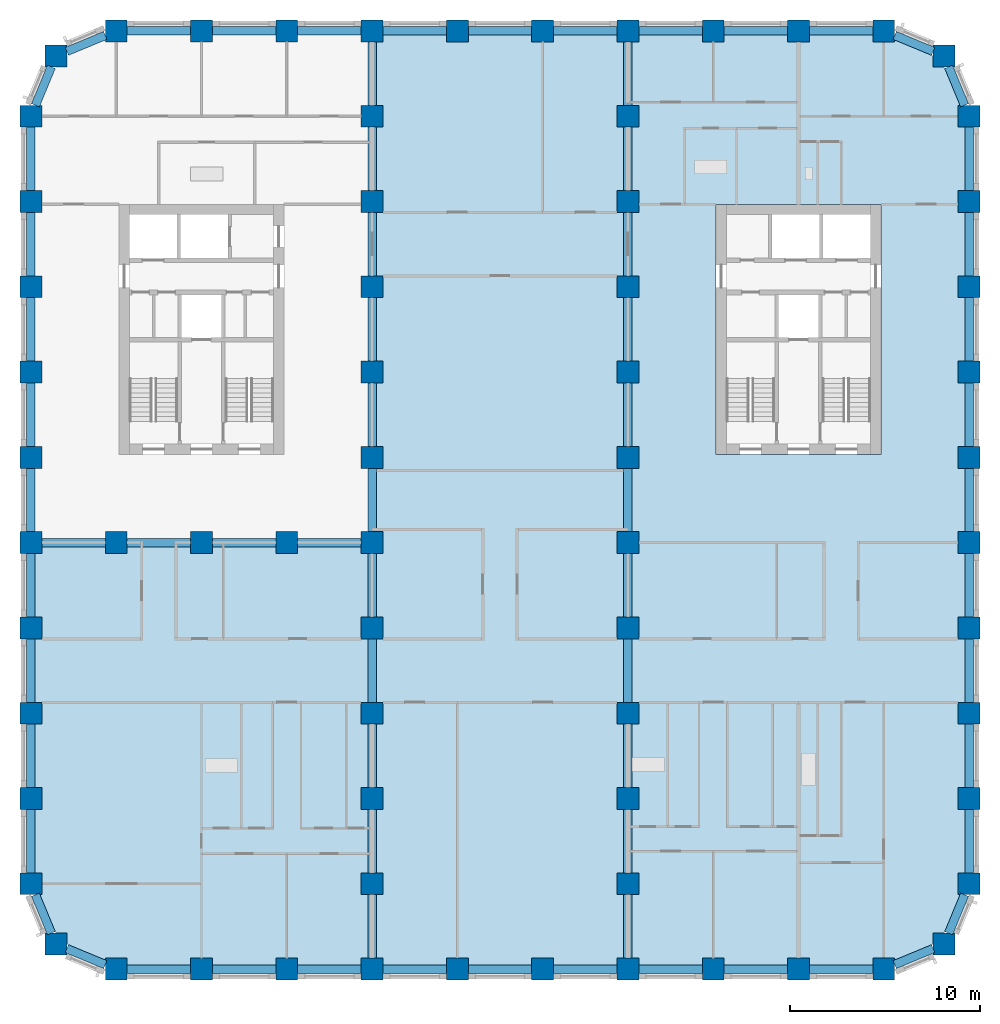
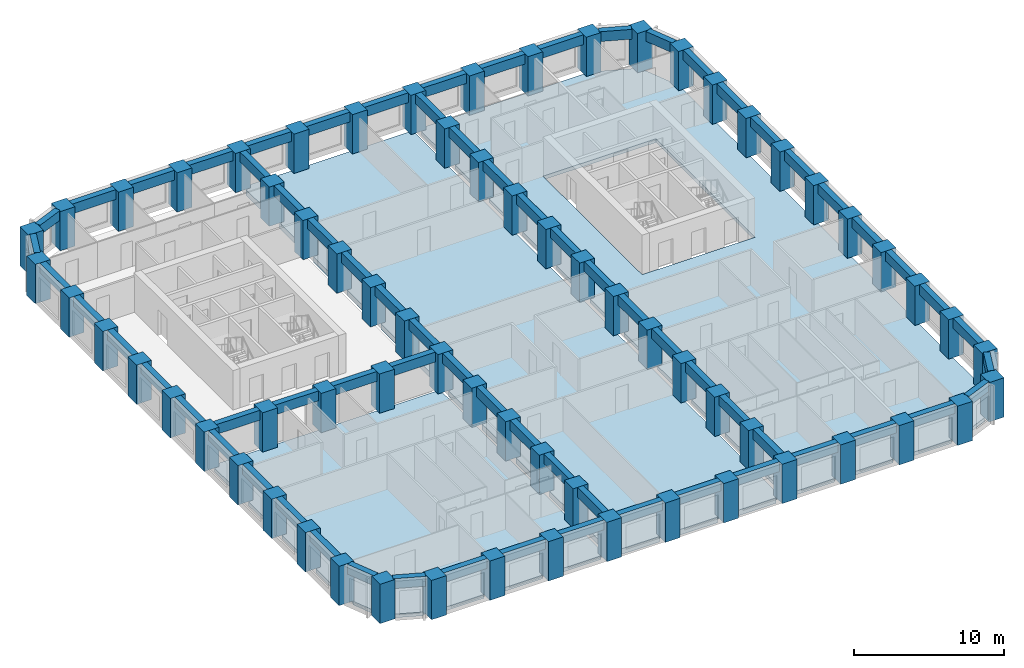
# One storey, part 1 of 12: 70 beams, 67 columns, 3 slabs.
"""IFC4 building model written with IfcOpenShell, lengths in metres."""

from ifc_helpers import new_model, si_unit, direction, frame, origin, origin_2d, place, context, subcontext, project, spatial, polyline, rectangle, outline, extrude, material, layer, layer_set, material_profile, profile_set, type_object, element, save


model = new_model("IFC4")

# Units and contexts
model_context = context("Model", 3, precision=1e-05, world=origin(), true_north=direction((0.0, 1.0)))
body_context = subcontext(model_context, "Body", "Model", "MODEL_VIEW")
ifc_project = project(units=[si_unit("LENGTHUNIT", "METRE"), si_unit("AREAUNIT", "SQUARE_METRE"), si_unit("VOLUMEUNIT", "CUBIC_METRE"), si_unit("PLANEANGLEUNIT", "RADIAN"), si_unit("MASSUNIT", "GRAM", prefix="KILO")], contexts=[model_context])

# Site, building, storey
site_placement = place(None, origin())
site = spatial("IfcSite", under=ifc_project, at=site_placement, CompositionType="ELEMENT")
building_placement = place(site_placement, origin())
building = spatial("IfcBuilding", under=site, at=building_placement, Name="Girih Gate Residences", CompositionType="ELEMENT")
storey_placement = place(building_placement, frame((0.0, 0.0, 108.800048828125)))
storey = spatial("IfcBuildingStorey", under=building, at=storey_placement, Name="L30", CompositionType="ELEMENT", Elevation=108.800048828125)

# Columns
ifc_material_1 = material(Name="Concrete C80/95", Category="concrete")
ifc_material_profile_1 = material_profile(ifc_material_1, rectangle(XDim=1.14990234375, YDim=1.14990234375, at=origin_2d()))
ifc_profile_set_1 = profile_set([ifc_material_profile_1], Name="Concrete C80/95")
column_type = type_object("IfcColumnType", Name="Pier RC 1150x1150 Concrete C80/95", PredefinedType="COLUMN", material=ifc_profile_set_1)
for number, where, z_axis, x_axis, name in (
    (1, (4.5, 0.0, 0.0), (0.0, 0.0, 1.0), (1.0, 0.0, 0.0), "Pier P2A L30"),
    (2, (9.0, 0.0, 0.0), (0.0, 0.0, 1.0), (1.0, 0.0, 0.0), "Pier P3A L30"),
    (3, (13.5, 0.0, 0.0), (0.0, 0.0, 1.0), (1.0, 0.0, 0.0), "Pier P4A L30"),
    (4, (18.0, 0.0, 0.0), (0.0, 0.0, 1.0), (1.0, 0.0, 0.0), "Pier P5A L30"),
    (5, (22.5, 0.0, 0.0), (0.0, 0.0, 1.0), (1.0, 0.0, 0.0), "Pier P6A L30"),
    (6, (27.0, 0.0, 0.0), (0.0, 0.0, 1.0), (1.0, 0.0, 0.0), "Pier P7A L30"),
    (7, (31.5, 0.0, 0.0), (0.0, 0.0, 1.0), (1.0, 0.0, 0.0), "Pier P8A L30"),
    (8, (36.0, 0.0, 0.0), (0.0, 0.0, 1.0), (1.0, 0.0, 0.0), "Pier P9A L30"),
    (9, (40.5, 0.0, 0.0), (0.0, 0.0, 1.0), (1.0, 0.0, 0.0), "Pier P10A L30"),
    (10, (45.0, 0.0, 0.0), (0.0, 0.0, 1.0), (1.0, 0.0, 0.0), "Pier P11A L30"),
    (11, (1.318115234375, 1.318115234375, 0.0), (0.0, 0.0, 1.0), (1.0, 0.0, 0.0), "Pier P1ANE L30"),
    (12, (48.181884765625, 1.318115234375, 0.0), (0.0, 0.0, 1.0), (1.0, 0.0, 0.0), "Pier P12ANW L30"),
    (13, (0.0, 4.5, 0.0), (0.0, 0.0, 1.0), (1.0, 0.0, 0.0), "Pier P1B L30"),
    (14, (18.0, 4.5, 0.0), (0.0, 0.0, 1.0), (1.0, 0.0, 0.0), "Pier P5B L30"),
    (15, (31.5, 4.5, 0.0), (0.0, 0.0, 1.0), (1.0, 0.0, 0.0), "Pier P8B L30"),
    (16, (49.5, 4.5, 0.0), (0.0, 0.0, 1.0), (1.0, 0.0, 0.0), "Pier P12B L30"),
    (17, (0.0, 9.0, 0.0), (0.0, 0.0, 1.0), (1.0, 0.0, 0.0), "Pier P1C L30"),
    (18, (18.0, 9.0, 0.0), (0.0, 0.0, 1.0), (1.0, 0.0, 0.0), "Pier P5C L30"),
    (19, (31.5, 9.0, 0.0), (0.0, 0.0, 1.0), (1.0, 0.0, 0.0), "Pier P8C L30"),
    (20, (49.5, 9.0, 0.0), (0.0, 0.0, 1.0), (1.0, 0.0, 0.0), "Pier P12C L30"),
    (21, (0.0, 13.5, 0.0), (0.0, 0.0, 1.0), (1.0, 0.0, 0.0), "Pier P1D L30"),
    (22, (18.0, 13.5, 0.0), (0.0, 0.0, 1.0), (1.0, 0.0, 0.0), "Pier P5D L30"),
    (23, (31.5, 13.5, 0.0), (0.0, 0.0, 1.0), (1.0, 0.0, 0.0), "Pier P8D L30"),
    (24, (49.5, 13.5, 0.0), (0.0, 0.0, 1.0), (1.0, 0.0, 0.0), "Pier P12D L30"),
    (25, (0.0, 18.0, 0.0), (0.0, 0.0, 1.0), (1.0, 0.0, 0.0), "Pier P1E L30"),
    (26, (18.0, 18.0, 0.0), (0.0, 0.0, 1.0), (1.0, 0.0, 0.0), "Pier P5E L30"),
    (27, (31.5, 18.0, 0.0), (0.0, 0.0, 1.0), (1.0, 0.0, 0.0), "Pier P8E L30"),
    (28, (49.5, 18.0, 0.0), (0.0, 0.0, 1.0), (1.0, 0.0, 0.0), "Pier P12E L30"),
    (29, (0.0, 22.5, 0.0), (0.0, 0.0, 1.0), (1.0, 0.0, 0.0), "Pier P1F L30"),
    (30, (4.5, 22.5, 0.0), (0.0, 0.0, 1.0), (1.0, 0.0, 0.0), "Pier P2F L30"),
    (31, (9.0, 22.5, 0.0), (0.0, 0.0, 1.0), (1.0, 0.0, 0.0), "Pier P3F L30"),
    (32, (13.5, 22.5, 0.0), (0.0, 0.0, 1.0), (1.0, 0.0, 0.0), "Pier P4F L30"),
    (33, (18.0, 22.5, 0.0), (0.0, 0.0, 1.0), (1.0, 0.0, 0.0), "Pier P5F L30"),
    (34, (31.5, 22.5, 0.0), (0.0, 0.0, 1.0), (1.0, 0.0, 0.0), "Pier P8F L30"),
    (35, (49.5, 22.5, 0.0), (0.0, 0.0, 1.0), (1.0, 0.0, 0.0), "Pier P12F L30"),
    (36, (0.0, 27.0, 0.0), (0.0, 0.0, 1.0), (1.0, 0.0, 0.0), "Pier P1G L30"),
    (37, (18.0, 27.0, 0.0), (0.0, 0.0, 1.0), (1.0, 0.0, 0.0), "Pier P5G L30"),
    (38, (31.5, 27.0, 0.0), (0.0, 0.0, 1.0), (1.0, 0.0, 0.0), "Pier P8G L30"),
    (39, (49.5, 27.0, 0.0), (0.0, 0.0, 1.0), (1.0, 0.0, 0.0), "Pier P12G L30"),
    (40, (0.0, 31.5, 0.0), (0.0, 0.0, 1.0), (1.0, 0.0, 0.0), "Pier P1H L30"),
    (41, (18.0, 31.5, 0.0), (0.0, 0.0, 1.0), (1.0, 0.0, 0.0), "Pier P5H L30"),
    (42, (31.5, 31.5, 0.0), (0.0, 0.0, 1.0), (1.0, 0.0, 0.0), "Pier P8H L30"),
    (43, (49.5, 31.5, 0.0), (0.0, 0.0, 1.0), (1.0, 0.0, 0.0), "Pier P12H L30"),
    (44, (0.0, 36.0, 0.0), (0.0, 0.0, 1.0), (1.0, 0.0, 0.0), "Pier P1I L30"),
    (45, (18.0, 36.0, 0.0), (0.0, 0.0, 1.0), (1.0, 0.0, 0.0), "Pier P5I L30"),
    (46, (31.5, 36.0, 0.0), (0.0, 0.0, 1.0), (1.0, 0.0, 0.0), "Pier P8I L30"),
    (47, (49.5, 36.0, 0.0), (0.0, 0.0, 1.0), (1.0, 0.0, 0.0), "Pier P12I L30"),
    (48, (0.0, 40.5, 0.0), (0.0, 0.0, 1.0), (1.0, 0.0, 0.0), "Pier P1J L30"),
    (49, (18.0, 40.5, 0.0), (0.0, 0.0, 1.0), (1.0, 0.0, 0.0), "Pier P5J L30"),
    (50, (31.5, 40.5, 0.0), (0.0, 0.0, 1.0), (1.0, 0.0, 0.0), "Pier P8J L30"),
    (51, (49.5, 40.5, 0.0), (0.0, 0.0, 1.0), (1.0, 0.0, 0.0), "Pier P12J L30"),
    (52, (0.0, 45.0, 0.0), (0.0, 0.0, 1.0), (1.0, 0.0, 0.0), "Pier P1K L30"),
    (53, (18.0, 45.0, 0.0), (0.0, 0.0, 1.0), (1.0, 0.0, 0.0), "Pier P5K L30"),
    (54, (31.5, 45.0, 0.0), (0.0, 0.0, 1.0), (1.0, 0.0, 0.0), "Pier P8K L30"),
    (55, (49.5, 45.0, 0.0), (0.0, 0.0, 1.0), (1.0, 0.0, 0.0), "Pier P12K L30"),
    (56, (1.318115234375, 48.181884765625, 0.0), (0.0, 0.0, 1.0), (1.0, 0.0, 0.0), "Pier P1LSE L30"),
    (57, (48.181884765625, 48.181884765625, 0.0), (0.0, 0.0, 1.0), (1.0, 0.0, 0.0), "Pier P12LSW L30"),
    (58, (4.5, 49.5, 0.0), (0.0, 0.0, 1.0), (1.0, 0.0, 0.0), "Pier P2L L30"),
    (59, (9.0, 49.5, 0.0), (0.0, 0.0, 1.0), (1.0, 0.0, 0.0), "Pier P3L L30"),
    (60, (13.5, 49.5, 0.0), (0.0, 0.0, 1.0), (1.0, 0.0, 0.0), "Pier P4L L30"),
    (61, (18.0, 49.5, 0.0), (0.0, 0.0, 1.0), (1.0, 0.0, 0.0), "Pier P5L L30"),
    (62, (22.5, 49.5, 0.0), (0.0, 0.0, 1.0), (1.0, 0.0, 0.0), "Pier P6L L30"),
    (63, (27.0, 49.5, 0.0), (0.0, 0.0, 1.0), (1.0, 0.0, 0.0), "Pier P7L L30"),
    (64, (31.5, 49.5, 0.0), (0.0, 0.0, 1.0), (1.0, 0.0, 0.0), "Pier P8L L30"),
    (65, (36.0, 49.5, 0.0), (0.0, 0.0, 1.0), (1.0, 0.0, 0.0), "Pier P9L L30"),
    (66, (40.5, 49.5, 0.0), (0.0, 0.0, 1.0), (1.0, 0.0, 0.0), "Pier P10L L30"),
    (67, (45.0, 49.5, 0.0), (0.0, 0.0, 1.0), (1.0, 0.0, 0.0), "Pier P11L L30"),
):
    element("IfcColumn", number, at=place(storey_placement, frame(where, z_axis=z_axis, x_axis=x_axis)), inside=storey, type_object=column_type, Name=name, PredefinedType="COLUMN", context=body_context, shape_type="SweptSolid", body=[
        extrude(rectangle(XDim=1.14990234375, YDim=1.14990234375, at=origin_2d()), origin(), (0.0, 0.0, 1.0), 3.199951171875),
    ])

# Beams
ifc_material_2 = material(Name="Concrete C60/75", Category="concrete")
ifc_material_profile_2 = material_profile(ifc_material_2, rectangle(XDim=0.449951171875, YDim=0.800048828125, at=origin_2d()))
ifc_profile_set_2 = profile_set([ifc_material_profile_2], Name="Concrete C60/75")
beam_type = type_object("IfcBeamType", Name="Spandrel girder RC 450x800 Concrete C60/75", PredefinedType="BEAM", material=ifc_profile_set_2)
for number, where, z_axis, x_axis, name in (
    (68, (0.23828125, 3.925048828125, 2.800048828125), (0.382636106589, -0.92389913407, 0.0), (0.92389913407, 0.382636106589, 0.0), "Spandrel girder SP-P1B-P1ANE L30"),
    (69, (1.89306640625, 1.079833984375, 2.800048828125), (0.92389913407, -0.382636106589, 0.0), (0.382636106589, 0.92389913407, 0.0), "Spandrel girder SP-P1ANE-P2A L30"),
):
    element("IfcBeam", number, at=place(storey_placement, frame(where, z_axis=z_axis, x_axis=x_axis)), inside=storey, type_object=beam_type, Name=name, PredefinedType="BEAM", context=body_context, shape_type="SweptSolid", body=[
        extrude(rectangle(XDim=0.449951171875, YDim=0.800048828125, at=origin_2d()), origin(), (0.0, 0.0, 1.0), 2.199462890625),
    ])
for number, where, z_axis, x_axis, name in (
    (70, (5.074951171875, 0.0, 2.800048828125), (1.0, 0.0, 0.0), (0.0, 1.0, 0.0), "Spandrel girder SP-P2A-P3A L30"),
    (71, (9.574951171875, 0.0, 2.800048828125), (1.0, 0.0, 0.0), (0.0, 1.0, 0.0), "Spandrel girder SP-P3A-P4A L30"),
    (72, (14.074951171875, 0.0, 2.800048828125), (1.0, 0.0, 0.0), (0.0, 1.0, 0.0), "Spandrel girder SP-P4A-P5A L30"),
    (73, (18.574951171875, 0.0, 2.800048828125), (1.0, 0.0, 0.0), (0.0, 1.0, 0.0), "Spandrel girder SP-P5A-P6A L30"),
    (74, (23.074951171875, 0.0, 2.800048828125), (1.0, 0.0, 0.0), (0.0, 1.0, 0.0), "Spandrel girder SP-P6A-P7A L30"),
    (75, (27.574951171875, 0.0, 2.800048828125), (1.0, 0.0, 0.0), (0.0, 1.0, 0.0), "Spandrel girder SP-P7A-P8A L30"),
    (76, (32.074951171875, 0.0, 2.800048828125), (1.0, 0.0, 0.0), (0.0, 1.0, 0.0), "Spandrel girder SP-P8A-P9A L30"),
    (77, (36.574951171875, 0.0, 2.800048828125), (1.0, 0.0, 0.0), (0.0, 1.0, 0.0), "Spandrel girder SP-P9A-P10A L30"),
    (78, (41.074951171875, 0.0, 2.800048828125), (1.0, 0.0, 0.0), (0.0, 1.0, 0.0), "Spandrel girder SP-P10A-P11A L30"),
):
    element("IfcBeam", number, at=place(storey_placement, frame(where, z_axis=z_axis, x_axis=x_axis)), inside=storey, type_object=beam_type, Name=name, PredefinedType="BEAM", context=body_context, shape_type="SweptSolid", body=[
        extrude(rectangle(XDim=0.449951171875, YDim=0.800048828125, at=origin_2d()), origin(), (0.0, 0.0, 1.0), 3.35009765625),
    ])
for number, where, z_axis, x_axis, name in (
    (79, (45.574951171875, 0.23828125, 2.800048828125), (0.92389913407, 0.382636106589, 0.0), (-0.382636106589, 0.92389913407, 0.0), "Spandrel girder SP-P11A-P12ANW L30"),
    (80, (48.420166015625, 1.89306640625, 2.800048828125), (0.382636106589, 0.92389913407, 0.0), (-0.92389913407, 0.382636106589, 0.0), "Spandrel girder SP-P12ANW-P12B L30"),
):
    element("IfcBeam", number, at=place(storey_placement, frame(where, z_axis=z_axis, x_axis=x_axis)), inside=storey, type_object=beam_type, Name=name, PredefinedType="BEAM", context=body_context, shape_type="SweptSolid", body=[
        extrude(rectangle(XDim=0.449951171875, YDim=0.800048828125, at=origin_2d()), origin(), (0.0, 0.0, 1.0), 2.199462890625),
    ])
for number, where, z_axis, x_axis, name in (
    (81, (49.5, 5.074951171875, 2.800048828125), (0.0, 1.0, 0.0), (-1.0, 0.0, 0.0), "Spandrel girder SP-P12B-P12C L30"),
    (82, (49.5, 9.574951171875, 2.800048828125), (0.0, 1.0, 0.0), (-1.0, 0.0, 0.0), "Spandrel girder SP-P12C-P12D L30"),
    (83, (49.5, 14.074951171875, 2.800048828125), (0.0, 1.0, 0.0), (-1.0, 0.0, 0.0), "Spandrel girder SP-P12D-P12E L30"),
    (84, (49.5, 18.574951171875, 2.800048828125), (0.0, 1.0, 0.0), (-1.0, 0.0, 0.0), "Spandrel girder SP-P12E-P12F L30"),
    (85, (49.5, 23.074951171875, 2.800048828125), (0.0, 1.0, 0.0), (-1.0, 0.0, 0.0), "Spandrel girder SP-P12F-P12G L30"),
    (86, (49.5, 27.574951171875, 2.800048828125), (0.0, 1.0, 0.0), (-1.0, 0.0, 0.0), "Spandrel girder SP-P12G-P12H L30"),
    (87, (49.5, 32.074951171875, 2.800048828125), (0.0, 1.0, 0.0), (-1.0, 0.0, 0.0), "Spandrel girder SP-P12H-P12I L30"),
    (88, (49.5, 36.574951171875, 2.800048828125), (0.0, 1.0, 0.0), (-1.0, 0.0, 0.0), "Spandrel girder SP-P12I-P12J L30"),
    (89, (49.5, 41.074951171875, 2.800048828125), (0.0, 1.0, 0.0), (-1.0, 0.0, 0.0), "Spandrel girder SP-P12J-P12K L30"),
):
    element("IfcBeam", number, at=place(storey_placement, frame(where, z_axis=z_axis, x_axis=x_axis)), inside=storey, type_object=beam_type, Name=name, PredefinedType="BEAM", context=body_context, shape_type="SweptSolid", body=[
        extrude(rectangle(XDim=0.449951171875, YDim=0.800048828125, at=origin_2d()), origin(), (0.0, 0.0, 1.0), 3.35009765625),
    ])
for number, where, z_axis, x_axis, name in (
    (90, (49.26171875, 45.574951171875, 2.800048828125), (-0.382636106589, 0.92389913407, 0.0), (-0.92389913407, -0.382636106589, 0.0), "Spandrel girder SP-P12K-P12LSW L30"),
    (91, (47.60693359375, 48.420166015625, 2.800048828125), (-0.92389913407, 0.382636106589, 0.0), (-0.382636106589, -0.92389913407, 0.0), "Spandrel girder SP-P12LSW-P11L L30"),
):
    element("IfcBeam", number, at=place(storey_placement, frame(where, z_axis=z_axis, x_axis=x_axis)), inside=storey, type_object=beam_type, Name=name, PredefinedType="BEAM", context=body_context, shape_type="SweptSolid", body=[
        extrude(rectangle(XDim=0.449951171875, YDim=0.800048828125, at=origin_2d()), origin(), (0.0, 0.0, 1.0), 2.199462890625),
    ])
for number, where, z_axis, x_axis, name in (
    (92, (44.425048828125, 49.5, 2.800048828125), (-1.0, 0.0, 0.0), (0.0, -1.0, 0.0), "Spandrel girder SP-P11L-P10L L30"),
    (93, (39.925048828125, 49.5, 2.800048828125), (-1.0, 0.0, 0.0), (0.0, -1.0, 0.0), "Spandrel girder SP-P10L-P9L L30"),
    (94, (35.425048828125, 49.5, 2.800048828125), (-1.0, 0.0, 0.0), (0.0, -1.0, 0.0), "Spandrel girder SP-P9L-P8L L30"),
    (95, (30.925048828125, 49.5, 2.800048828125), (-1.0, 0.0, 0.0), (0.0, -1.0, 0.0), "Spandrel girder SP-P8L-P7L L30"),
    (96, (26.425048828125, 49.5, 2.800048828125), (-1.0, 0.0, 0.0), (0.0, -1.0, 0.0), "Spandrel girder SP-P7L-P6L L30"),
    (97, (21.925048828125, 49.5, 2.800048828125), (-1.0, 0.0, 0.0), (0.0, -1.0, 0.0), "Spandrel girder SP-P6L-P5L L30"),
    (98, (17.425048828125, 49.5, 2.800048828125), (-1.0, 0.0, 0.0), (0.0, -1.0, 0.0), "Spandrel girder SP-P5L-P4L L30"),
    (99, (12.925048828125, 49.5, 2.800048828125), (-1.0, 0.0, 0.0), (0.0, -1.0, 0.0), "Spandrel girder SP-P4L-P3L L30"),
    (100, (8.425048828125, 49.5, 2.800048828125), (-1.0, 0.0, 0.0), (0.0, -1.0, 0.0), "Spandrel girder SP-P3L-P2L L30"),
):
    element("IfcBeam", number, at=place(storey_placement, frame(where, z_axis=z_axis, x_axis=x_axis)), inside=storey, type_object=beam_type, Name=name, PredefinedType="BEAM", context=body_context, shape_type="SweptSolid", body=[
        extrude(rectangle(XDim=0.449951171875, YDim=0.800048828125, at=origin_2d()), origin(), (0.0, 0.0, 1.0), 3.35009765625),
    ])
for number, where, z_axis, x_axis, name in (
    (101, (3.925048828125, 49.26171875, 2.800048828125), (-0.92389913407, -0.382636106589, 0.0), (0.382636106589, -0.92389913407, 0.0), "Spandrel girder SP-P2L-P1LSE L30"),
    (102, (1.079833984375, 47.60693359375, 2.800048828125), (-0.382636106589, -0.92389913407, 0.0), (0.92389913407, -0.382636106589, 0.0), "Spandrel girder SP-P1LSE-P1K L30"),
):
    element("IfcBeam", number, at=place(storey_placement, frame(where, z_axis=z_axis, x_axis=x_axis)), inside=storey, type_object=beam_type, Name=name, PredefinedType="BEAM", context=body_context, shape_type="SweptSolid", body=[
        extrude(rectangle(XDim=0.449951171875, YDim=0.800048828125, at=origin_2d()), origin(), (0.0, 0.0, 1.0), 2.199462890625),
    ])
for number, where, z_axis, x_axis, name in (
    (103, (0.0, 44.425048828125, 2.800048828125), (0.0, -1.0, 0.0), (1.0, 0.0, 0.0), "Spandrel girder SP-P1K-P1J L30"),
    (104, (0.0, 39.925048828125, 2.800048828125), (0.0, -1.0, 0.0), (1.0, 0.0, 0.0), "Spandrel girder SP-P1J-P1I L30"),
    (105, (0.0, 35.425048828125, 2.800048828125), (0.0, -1.0, 0.0), (1.0, 0.0, 0.0), "Spandrel girder SP-P1I-P1H L30"),
    (106, (0.0, 30.925048828125, 2.800048828125), (0.0, -1.0, 0.0), (1.0, 0.0, 0.0), "Spandrel girder SP-P1H-P1G L30"),
    (107, (0.0, 26.425048828125, 2.800048828125), (0.0, -1.0, 0.0), (1.0, 0.0, 0.0), "Spandrel girder SP-P1G-P1F L30"),
    (108, (0.0, 21.925048828125, 2.800048828125), (0.0, -1.0, 0.0), (1.0, 0.0, 0.0), "Spandrel girder SP-P1F-P1E L30"),
    (109, (0.0, 17.425048828125, 2.800048828125), (0.0, -1.0, 0.0), (1.0, 0.0, 0.0), "Spandrel girder SP-P1E-P1D L30"),
    (110, (0.0, 12.925048828125, 2.800048828125), (0.0, -1.0, 0.0), (1.0, 0.0, 0.0), "Spandrel girder SP-P1D-P1C L30"),
    (111, (0.0, 8.425048828125, 2.800048828125), (0.0, -1.0, 0.0), (1.0, 0.0, 0.0), "Spandrel girder SP-P1C-P1B L30"),
    (112, (18.0, 0.574951171875, 2.800048828125), (0.0, 1.0, 0.0), (-1.0, 0.0, 0.0), "Spandrel girder SP-P5A-P5B L30"),
    (113, (18.0, 5.074951171875, 2.800048828125), (0.0, 1.0, 0.0), (-1.0, 0.0, 0.0), "Spandrel girder SP-P5B-P5C L30"),
    (114, (18.0, 9.574951171875, 2.800048828125), (0.0, 1.0, 0.0), (-1.0, 0.0, 0.0), "Spandrel girder SP-P5C-P5D L30"),
    (115, (18.0, 14.074951171875, 2.800048828125), (0.0, 1.0, 0.0), (-1.0, 0.0, 0.0), "Spandrel girder SP-P5D-P5E L30"),
    (116, (18.0, 18.574951171875, 2.800048828125), (0.0, 1.0, 0.0), (-1.0, 0.0, 0.0), "Spandrel girder SP-P5E-P5F L30"),
    (117, (18.0, 23.074951171875, 2.800048828125), (0.0, 1.0, 0.0), (-1.0, 0.0, 0.0), "Spandrel girder SP-P5F-P5G L30"),
    (118, (18.0, 27.574951171875, 2.800048828125), (0.0, 1.0, 0.0), (-1.0, 0.0, 0.0), "Spandrel girder SP-P5G-P5H L30"),
    (119, (18.0, 32.074951171875, 2.800048828125), (0.0, 1.0, 0.0), (-1.0, 0.0, 0.0), "Spandrel girder SP-P5H-P5I L30"),
    (120, (18.0, 36.574951171875, 2.800048828125), (0.0, 1.0, 0.0), (-1.0, 0.0, 0.0), "Spandrel girder SP-P5I-P5J L30"),
    (121, (18.0, 41.074951171875, 2.800048828125), (0.0, 1.0, 0.0), (-1.0, 0.0, 0.0), "Spandrel girder SP-P5J-P5K L30"),
    (122, (18.0, 45.574951171875, 2.800048828125), (0.0, 1.0, 0.0), (-1.0, 0.0, 0.0), "Spandrel girder SP-P5K-P5L L30"),
    (123, (31.5, 0.574951171875, 2.800048828125), (0.0, 1.0, 0.0), (-1.0, 0.0, 0.0), "Spandrel girder SP-P8A-P8B L30"),
    (124, (31.5, 5.074951171875, 2.800048828125), (0.0, 1.0, 0.0), (-1.0, 0.0, 0.0), "Spandrel girder SP-P8B-P8C L30"),
    (125, (31.5, 9.574951171875, 2.800048828125), (0.0, 1.0, 0.0), (-1.0, 0.0, 0.0), "Spandrel girder SP-P8C-P8D L30"),
    (126, (31.5, 14.074951171875, 2.800048828125), (0.0, 1.0, 0.0), (-1.0, 0.0, 0.0), "Spandrel girder SP-P8D-P8E L30"),
    (127, (31.5, 18.574951171875, 2.800048828125), (0.0, 1.0, 0.0), (-1.0, 0.0, 0.0), "Spandrel girder SP-P8E-P8F L30"),
    (128, (31.5, 23.074951171875, 2.800048828125), (0.0, 1.0, 0.0), (-1.0, 0.0, 0.0), "Spandrel girder SP-P8F-P8G L30"),
    (129, (31.5, 27.574951171875, 2.800048828125), (0.0, 1.0, 0.0), (-1.0, 0.0, 0.0), "Spandrel girder SP-P8G-P8H L30"),
    (130, (31.5, 32.074951171875, 2.800048828125), (0.0, 1.0, 0.0), (-1.0, 0.0, 0.0), "Spandrel girder SP-P8H-P8I L30"),
    (131, (31.5, 36.574951171875, 2.800048828125), (0.0, 1.0, 0.0), (-1.0, 0.0, 0.0), "Spandrel girder SP-P8I-P8J L30"),
    (132, (31.5, 41.074951171875, 2.800048828125), (0.0, 1.0, 0.0), (-1.0, 0.0, 0.0), "Spandrel girder SP-P8J-P8K L30"),
    (133, (31.5, 45.574951171875, 2.800048828125), (0.0, 1.0, 0.0), (-1.0, 0.0, 0.0), "Spandrel girder SP-P8K-P8L L30"),
    (134, (0.574951171875, 22.5, 2.800048828125), (1.0, 0.0, 0.0), (0.0, 1.0, 0.0), "Spandrel girder SP-P1F-P2F L30"),
    (135, (5.074951171875, 22.5, 2.800048828125), (1.0, 0.0, 0.0), (0.0, 1.0, 0.0), "Spandrel girder SP-P2F-P3F L30"),
    (136, (9.574951171875, 22.5, 2.800048828125), (1.0, 0.0, 0.0), (0.0, 1.0, 0.0), "Spandrel girder SP-P3F-P4F L30"),
    (137, (14.074951171875, 22.5, 2.800048828125), (1.0, 0.0, 0.0), (0.0, 1.0, 0.0), "Spandrel girder SP-P4F-P5F L30"),
):
    element("IfcBeam", number, at=place(storey_placement, frame(where, z_axis=z_axis, x_axis=x_axis)), inside=storey, type_object=beam_type, Name=name, PredefinedType="BEAM", context=body_context, shape_type="SweptSolid", body=[
        extrude(rectangle(XDim=0.449951171875, YDim=0.800048828125, at=origin_2d()), origin(), (0.0, 0.0, 1.0), 3.35009765625),
    ])

# Slabs
ifc_material_3 = material(Name="Concrete C40/50", Category="concrete")
ifc_layer_1 = layer(ifc_material_3, 0.300048828125)
ifc_layer_set_1 = layer_set([ifc_layer_1], Name="Floor slab PT 300 Concrete C40/50")
slab_type_1 = type_object("IfcSlabType", Name="Floor slab PT 300 Concrete C40/50", PredefinedType="FLOOR", material=ifc_layer_set_1)
slab_1_placement = place(storey_placement, frame((0.0, 0.0, -0.300048828125)))
element("IfcSlab", 138, at=slab_1_placement, inside=storey, type_object=slab_type_1, Name="Floor slab L30 0", PredefinedType="FLOOR", context=body_context, shape_type="SweptSolid", body=[
    extrude(outline(polyline([(0.22509765625, 8.425048828125), (0.22509765625, 5.074951171875), (0.574951171875, 5.074951171875), (0.574951171875, 3.925048828125), (0.481689453125, 3.925048828125), (1.323486328125, 1.89306640625), (1.89306640625, 1.89306640625), (1.89306640625, 1.323486328125), (3.925048828125, 0.481689453125), (3.925048828125, 0.574951171875), (5.074951171875, 0.574951171875), (5.074951171875, 0.22509765625), (8.425048828125, 0.22509765625), (8.425048828125, 0.574951171875), (9.574951171875, 0.574951171875), (9.574951171875, 0.22509765625), (12.925048828125, 0.22509765625), (12.925048828125, 0.574951171875), (14.074951171875, 0.574951171875), (14.074951171875, 0.22509765625), (17.425048828125, 0.22509765625), (17.425048828125, 0.574951171875), (17.77490234375, 0.574951171875), (17.77490234375, 3.925048828125), (17.425048828125, 3.925048828125), (17.425048828125, 5.074951171875), (17.77490234375, 5.074951171875), (17.77490234375, 8.425048828125), (17.425048828125, 8.425048828125), (17.425048828125, 9.574951171875), (17.77490234375, 9.574951171875), (17.77490234375, 12.925048828125), (17.425048828125, 12.925048828125), (17.425048828125, 14.074951171875), (17.77490234375, 14.074951171875), (17.77490234375, 17.425048828125), (17.425048828125, 17.425048828125), (17.425048828125, 18.574951171875), (17.77490234375, 18.574951171875), (17.77490234375, 21.925048828125), (17.425048828125, 21.925048828125), (17.425048828125, 22.27490234375), (14.074951171875, 22.27490234375), (14.074951171875, 21.925048828125), (12.925048828125, 21.925048828125), (12.925048828125, 22.27490234375), (9.574951171875, 22.27490234375), (9.574951171875, 21.925048828125), (8.425048828125, 21.925048828125), (8.425048828125, 22.27490234375), (5.074951171875, 22.27490234375), (5.074951171875, 21.925048828125), (3.925048828125, 21.925048828125), (3.925048828125, 22.27490234375), (0.574951171875, 22.27490234375), (0.574951171875, 21.925048828125), (0.22509765625, 21.925048828125), (0.22509765625, 18.574951171875), (0.574951171875, 18.574951171875), (0.574951171875, 17.425048828125), (0.22509765625, 17.425048828125), (0.22509765625, 14.074951171875), (0.574951171875, 14.074951171875), (0.574951171875, 12.925048828125), (0.22509765625, 12.925048828125), (0.22509765625, 9.574951171875), (0.574951171875, 9.574951171875), (0.574951171875, 8.425048828125), (0.22509765625, 8.425048828125)])), origin(), (0.0, 0.0, 1.0), 0.300048828125),
])
slab_2_placement = place(storey_placement, frame((0.0, 0.0, -0.300048828125)))
element("IfcSlab", 139, at=slab_2_placement, inside=storey, type_object=slab_type_1, Name="Floor slab L30 1", PredefinedType="FLOOR", context=body_context, shape_type="SweptSolid", body=[
    extrude(outline(polyline([(35.425048828125, 49.27490234375), (32.074951171875, 49.27490234375), (32.074951171875, 48.925048828125), (31.72509765625, 48.925048828125), (31.72509765625, 45.574951171875), (32.074951171875, 45.574951171875), (32.074951171875, 44.425048828125), (31.72509765625, 44.425048828125), (31.72509765625, 41.074951171875), (32.074951171875, 41.074951171875), (32.074951171875, 39.925048828125), (31.72509765625, 39.925048828125), (31.72509765625, 36.574951171875), (32.074951171875, 36.574951171875), (32.074951171875, 35.425048828125), (31.72509765625, 35.425048828125), (31.72509765625, 32.074951171875), (32.074951171875, 32.074951171875), (32.074951171875, 30.925048828125), (31.72509765625, 30.925048828125), (31.72509765625, 27.574951171875), (32.074951171875, 27.574951171875), (32.074951171875, 26.425048828125), (31.72509765625, 26.425048828125), (31.72509765625, 23.074951171875), (32.074951171875, 23.074951171875), (32.074951171875, 21.925048828125), (31.72509765625, 21.925048828125), (31.72509765625, 18.574951171875), (32.074951171875, 18.574951171875), (32.074951171875, 17.425048828125), (31.72509765625, 17.425048828125), (31.72509765625, 14.074951171875), (32.074951171875, 14.074951171875), (32.074951171875, 12.925048828125), (31.72509765625, 12.925048828125), (31.72509765625, 9.574951171875), (32.074951171875, 9.574951171875), (32.074951171875, 8.425048828125), (31.72509765625, 8.425048828125), (31.72509765625, 5.074951171875), (32.074951171875, 5.074951171875), (32.074951171875, 3.925048828125), (31.72509765625, 3.925048828125), (31.72509765625, 0.574951171875), (32.074951171875, 0.574951171875), (32.074951171875, 0.22509765625), (35.425048828125, 0.22509765625), (35.425048828125, 0.574951171875), (36.574951171875, 0.574951171875), (36.574951171875, 0.22509765625), (39.925048828125, 0.22509765625), (39.925048828125, 0.574951171875), (41.074951171875, 0.574951171875), (41.074951171875, 0.22509765625), (44.425048828125, 0.22509765625), (44.425048828125, 0.574951171875), (45.574951171875, 0.574951171875), (45.574951171875, 0.481689453125), (47.60693359375, 1.323486328125), (47.60693359375, 1.89306640625), (48.176513671875, 1.89306640625), (49.018310546875, 3.925048828125), (48.925048828125, 3.925048828125), (48.925048828125, 5.074951171875), (49.27490234375, 5.074951171875), (49.27490234375, 8.425048828125), (48.925048828125, 8.425048828125), (48.925048828125, 9.574951171875), (49.27490234375, 9.574951171875), (49.27490234375, 12.925048828125), (48.925048828125, 12.925048828125), (48.925048828125, 14.074951171875), (49.27490234375, 14.074951171875), (49.27490234375, 17.425048828125), (48.925048828125, 17.425048828125), (48.925048828125, 18.574951171875), (49.27490234375, 18.574951171875), (49.27490234375, 21.925048828125), (48.925048828125, 21.925048828125), (48.925048828125, 23.074951171875), (49.27490234375, 23.074951171875), (49.27490234375, 26.425048828125), (48.925048828125, 26.425048828125), (48.925048828125, 27.574951171875), (49.27490234375, 27.574951171875), (49.27490234375, 30.925048828125), (48.925048828125, 30.925048828125), (48.925048828125, 32.074951171875), (49.27490234375, 32.074951171875), (49.27490234375, 35.425048828125), (48.925048828125, 35.425048828125), (48.925048828125, 36.574951171875), (49.27490234375, 36.574951171875), (49.27490234375, 39.925048828125), (48.925048828125, 39.925048828125), (48.925048828125, 41.074951171875), (49.27490234375, 41.074951171875), (49.27490234375, 44.425048828125), (48.925048828125, 44.425048828125), (48.925048828125, 45.574951171875), (49.018310546875, 45.574951171875), (48.176513671875, 47.60693359375), (47.60693359375, 47.60693359375), (47.60693359375, 48.176513671875), (45.574951171875, 49.018310546875), (45.574951171875, 48.925048828125), (44.425048828125, 48.925048828125), (44.425048828125, 49.27490234375), (41.074951171875, 49.27490234375), (41.074951171875, 48.925048828125), (39.925048828125, 48.925048828125), (39.925048828125, 49.27490234375), (36.574951171875, 49.27490234375), (36.574951171875, 48.925048828125), (35.425048828125, 48.925048828125), (35.425048828125, 49.27490234375)]), holes=[polyline([(44.85009765625, 40.35009765625), (44.85009765625, 27.14990234375), (36.14990234375, 27.14990234375), (36.14990234375, 40.35009765625), (44.85009765625, 40.35009765625)])]), origin(), (0.0, 0.0, 1.0), 0.300048828125),
])
ifc_layer_2 = layer(ifc_material_3, 0.449951171875)
ifc_layer_set_2 = layer_set([ifc_layer_2], Name="Floor slab PT 450 Concrete C40/50")
slab_type_2 = type_object("IfcSlabType", Name="Floor slab PT 450 Concrete C40/50", PredefinedType="FLOOR", material=ifc_layer_set_2)
slab_3_placement = place(storey_placement, frame((0.0, 0.0, -0.449951171875)))
element("IfcSlab", 140, at=slab_3_placement, inside=storey, type_object=slab_type_2, Name="Floor slab L30 2", PredefinedType="FLOOR", context=body_context, shape_type="SweptSolid", body=[
    extrude(outline(polyline([(21.925048828125, 49.27490234375), (18.574951171875, 49.27490234375), (18.574951171875, 48.925048828125), (18.22509765625, 48.925048828125), (18.22509765625, 45.574951171875), (18.574951171875, 45.574951171875), (18.574951171875, 44.425048828125), (18.22509765625, 44.425048828125), (18.22509765625, 41.074951171875), (18.574951171875, 41.074951171875), (18.574951171875, 39.925048828125), (18.22509765625, 39.925048828125), (18.22509765625, 36.574951171875), (18.574951171875, 36.574951171875), (18.574951171875, 35.425048828125), (18.22509765625, 35.425048828125), (18.22509765625, 32.074951171875), (18.574951171875, 32.074951171875), (18.574951171875, 30.925048828125), (18.22509765625, 30.925048828125), (18.22509765625, 27.574951171875), (18.574951171875, 27.574951171875), (18.574951171875, 26.425048828125), (18.22509765625, 26.425048828125), (18.22509765625, 23.074951171875), (18.574951171875, 23.074951171875), (18.574951171875, 21.925048828125), (18.22509765625, 21.925048828125), (18.22509765625, 18.574951171875), (18.574951171875, 18.574951171875), (18.574951171875, 17.425048828125), (18.22509765625, 17.425048828125), (18.22509765625, 14.074951171875), (18.574951171875, 14.074951171875), (18.574951171875, 12.925048828125), (18.22509765625, 12.925048828125), (18.22509765625, 9.574951171875), (18.574951171875, 9.574951171875), (18.574951171875, 8.425048828125), (18.22509765625, 8.425048828125), (18.22509765625, 5.074951171875), (18.574951171875, 5.074951171875), (18.574951171875, 3.925048828125), (18.22509765625, 3.925048828125), (18.22509765625, 0.574951171875), (18.574951171875, 0.574951171875), (18.574951171875, 0.22509765625), (21.925048828125, 0.22509765625), (21.925048828125, 0.574951171875), (23.074951171875, 0.574951171875), (23.074951171875, 0.22509765625), (26.425048828125, 0.22509765625), (26.425048828125, 0.574951171875), (27.574951171875, 0.574951171875), (27.574951171875, 0.22509765625), (30.925048828125, 0.22509765625), (30.925048828125, 0.574951171875), (31.27490234375, 0.574951171875), (31.27490234375, 3.925048828125), (30.925048828125, 3.925048828125), (30.925048828125, 5.074951171875), (31.27490234375, 5.074951171875), (31.27490234375, 8.425048828125), (30.925048828125, 8.425048828125), (30.925048828125, 9.574951171875), (31.27490234375, 9.574951171875), (31.27490234375, 12.925048828125), (30.925048828125, 12.925048828125), (30.925048828125, 14.074951171875), (31.27490234375, 14.074951171875), (31.27490234375, 17.425048828125), (30.925048828125, 17.425048828125), (30.925048828125, 18.574951171875), (31.27490234375, 18.574951171875), (31.27490234375, 21.925048828125), (30.925048828125, 21.925048828125), (30.925048828125, 23.074951171875), (31.27490234375, 23.074951171875), (31.27490234375, 26.425048828125), (30.925048828125, 26.425048828125), (30.925048828125, 27.574951171875), (31.27490234375, 27.574951171875), (31.27490234375, 30.925048828125), (30.925048828125, 30.925048828125), (30.925048828125, 32.074951171875), (31.27490234375, 32.074951171875), (31.27490234375, 35.425048828125), (30.925048828125, 35.425048828125), (30.925048828125, 36.574951171875), (31.27490234375, 36.574951171875), (31.27490234375, 39.925048828125), (30.925048828125, 39.925048828125), (30.925048828125, 41.074951171875), (31.27490234375, 41.074951171875), (31.27490234375, 44.425048828125), (30.925048828125, 44.425048828125), (30.925048828125, 45.574951171875), (31.27490234375, 45.574951171875), (31.27490234375, 48.925048828125), (30.925048828125, 48.925048828125), (30.925048828125, 49.27490234375), (27.574951171875, 49.27490234375), (27.574951171875, 48.925048828125), (26.425048828125, 48.925048828125), (26.425048828125, 49.27490234375), (23.074951171875, 49.27490234375), (23.074951171875, 48.925048828125), (21.925048828125, 48.925048828125), (21.925048828125, 49.27490234375)])), origin(), (0.0, 0.0, 1.0), 0.449951171875),
])

save(model, "model.ifc")
